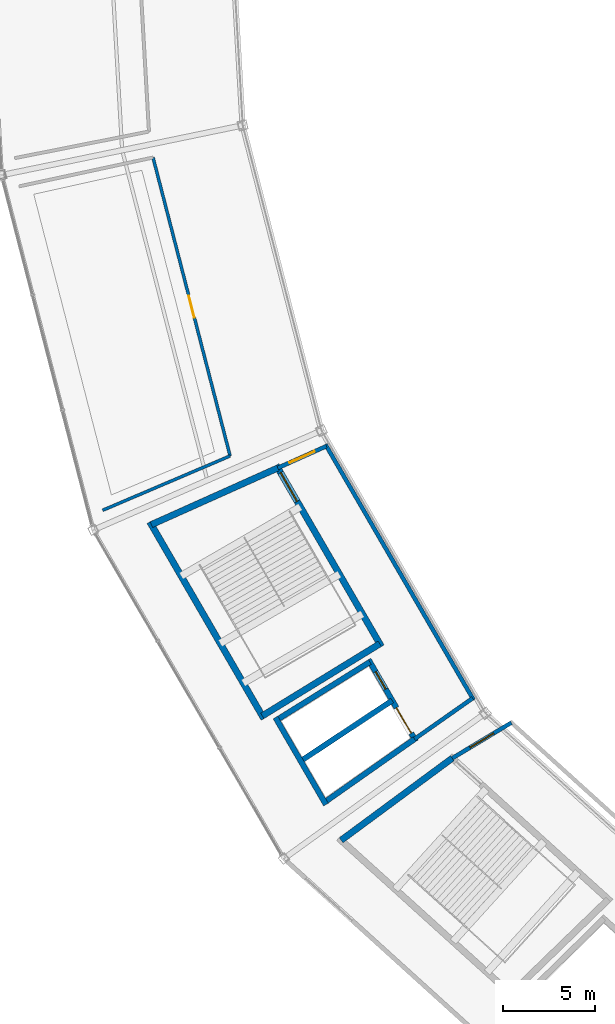
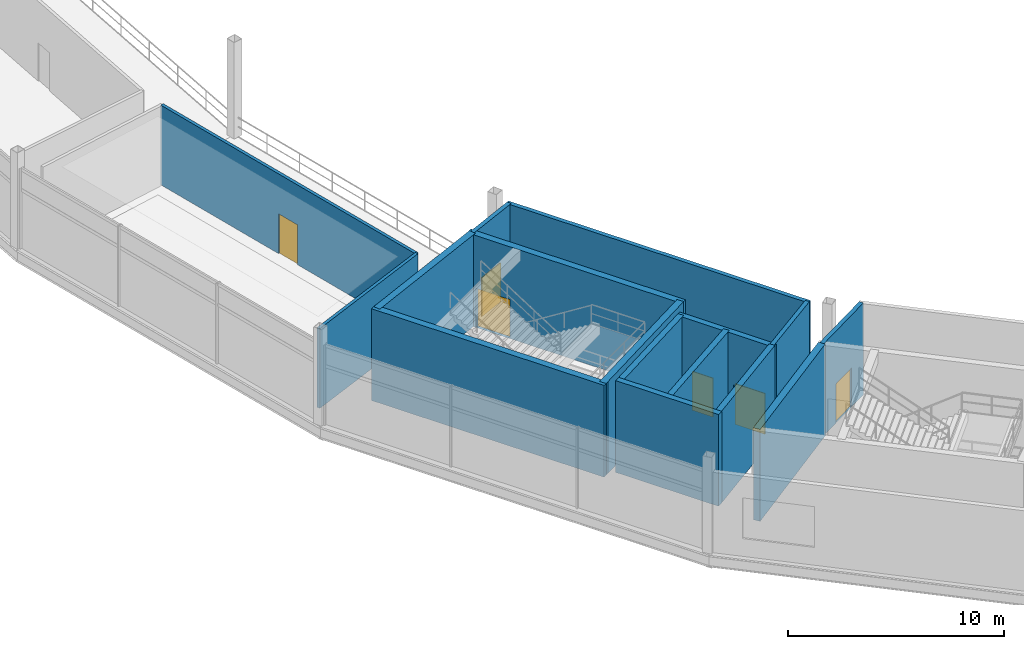
# One storey, part 72 of 103: 16 walls, 6 doors, 6 openings.
"""IFC4 building model written with IfcOpenShell, lengths in metres."""

import ifcopenshell
import ifcopenshell.guid

model = None  # the IFC model being written
_history = None  # IfcOwnerHistory: only IFC2X3 demands one
_inside = {}  # id of a spatial element -> (the spatial element, [elements in it])
_under = {}  # id of a project, library or spatial element -> (it, [spatial elements below it])
_declared = {}  # id of a project -> (the project, [libraries it declares])
_typed = {}  # id of a type object -> (the type object, [elements of that type])
_made_of = {}  # id of a material, layer set ... -> (it, [elements and type objects made of it])


def new_model(schema):
    """Start an empty IFC model of exactly this schema.

    Asked for "IFC4X3", IfcOpenShell would pick the latest addendum, in which some entities
    have other attributes; the version numbers below select the first issue.
    IFC2X3 requires an IfcOwnerHistory on every rooted entity: one is made here for all.
    """
    global model, _history
    if schema == "IFC4X3":
        model = ifcopenshell.file(schema_version=(4, 3, 0, 0))
    else:
        model = ifcopenshell.file(schema=schema)
    _inside.clear()
    _under.clear()
    _declared.clear()
    _typed.clear()
    _made_of.clear()
    _history = None
    if model.schema == "IFC2X3":
        org = make("IfcOrganization", Name="unknown")
        user = make(
            "IfcPersonAndOrganization",
            ThePerson=make("IfcPerson", FamilyName="unknown"),
            TheOrganization=org,
        )
        app = make(
            "IfcApplication",
            ApplicationDeveloper=org,
            Version="unknown",
            ApplicationFullName="unknown",
            ApplicationIdentifier="unknown",
        )
        _history = make(
            "IfcOwnerHistory",
            OwningUser=user,
            OwningApplication=app,
            ChangeAction="ADDED",
            CreationDate=0,
        )
    return model


def make(cls, **values):
    """One entity of the class cls with the attributes given. An attribute that is None is left unset."""
    return model.create_entity(
        cls, **{name: value for name, value in values.items() if value is not None}
    )


def rooted(cls, **values):
    """An entity with a GlobalId (a new one), such as an element, a storey or a relation."""
    return make(cls, GlobalId=ifcopenshell.guid.new(), OwnerHistory=_history, **values)


def si_unit(unit_type, name, prefix=None):
    """IfcSIUnit, for example si_unit("LENGTHUNIT", "METRE", prefix="MILLI")."""
    return make("IfcSIUnit", UnitType=unit_type, Prefix=prefix, Name=name)


def assignment(units):
    """IfcUnitAssignment: the units of a project."""
    return None if units is None else make("IfcUnitAssignment", Units=units)


def point(xyz):
    """IfcCartesianPoint."""
    return None if xyz is None else make("IfcCartesianPoint", Coordinates=xyz)


def direction(xyz):
    """IfcDirection."""
    return None if xyz is None else make("IfcDirection", DirectionRatios=xyz)


def frame(location, z_axis=None, x_axis=None):
    """IfcAxis2Placement3D, a coordinate frame: its origin and axes. An axis left out is left unset."""
    return make(
        "IfcAxis2Placement3D",
        Location=point(location),
        Axis=direction(z_axis),
        RefDirection=direction(x_axis),
    )


def frame_2d(location, x_axis=None):
    """IfcAxis2Placement2D, a coordinate frame in the plane: its origin and x axis."""
    return make(
        "IfcAxis2Placement2D", Location=point(location), RefDirection=direction(x_axis)
    )


def origin():
    """The frame at (0, 0, 0) with its axes left unset."""
    return frame((0.0, 0.0, 0.0))


def place(relative_to, where):
    """IfcLocalPlacement: puts the frame where relative to a parent placement (None: the world)."""
    return make(
        "IfcLocalPlacement", PlacementRelTo=relative_to, RelativePlacement=where
    )


def context(
    kind, dimensions, precision=None, world=None, true_north=None, identifier=None
):
    """IfcGeometricRepresentationContext, for example the 3D "Model" context."""
    return make(
        "IfcGeometricRepresentationContext",
        ContextIdentifier=identifier,
        ContextType=kind,
        CoordinateSpaceDimension=dimensions,
        Precision=precision,
        WorldCoordinateSystem=world,
        TrueNorth=true_north,
    )


def subcontext(parent, identifier, kind, view, scale=None):
    """IfcGeometricRepresentationSubContext, for example "Body" below "Model"."""
    return make(
        "IfcGeometricRepresentationSubContext",
        ContextIdentifier=identifier,
        ContextType=kind,
        ParentContext=parent,
        TargetScale=scale,
        TargetView=view,
    )


def project(units=None, contexts=None):
    """IfcProject with its units and contexts."""
    return rooted(
        "IfcProject",
        Name="project",
        RepresentationContexts=contexts,
        UnitsInContext=assignment(units),
    )


def spatial(cls, under=None, at=None, **own):
    """A site, building, storey or space (cls), placed at a placement, below another one or the project."""
    s = rooted(cls, ObjectPlacement=at, **own)
    if under is not None:
        _under.setdefault(under.id(), (under, []))[1].append(s)
    return s


def profile(cls, at=None, kind="AREA", **sizes):
    """A parametric profile (cls). Its sizes go by their IFC names, for example OverallWidth=200.0."""
    return make(cls, ProfileType=kind, Position=at, **sizes)


def rectangle(**sizes):
    """IfcRectangleProfileDef."""
    return profile("IfcRectangleProfileDef", **sizes)


def extrude(swept, where, along, depth):
    """IfcExtrudedAreaSolid: the profile swept, set in the frame where, extruded along a direction by depth."""
    return make(
        "IfcExtrudedAreaSolid",
        SweptArea=swept,
        Position=where,
        ExtrudedDirection=direction(along),
        Depth=depth,
    )


def shape(context_of_items, identifier, shape_type, items):
    """IfcShapeRepresentation: the items that make up one representation, for example the "Body"."""
    return make(
        "IfcShapeRepresentation",
        ContextOfItems=context_of_items,
        RepresentationIdentifier=identifier,
        RepresentationType=shape_type,
        Items=items,
    )


def material(Name=None, Category=None):
    """IfcMaterial."""
    return make("IfcMaterial", Name=Name, Category=Category)


def layer(
    of_material, thickness, ventilated=None, Name=None, Category=None, Priority=None
):
    """IfcMaterialLayer: one layer of a wall or slab, of a material (None: an air gap)."""
    return make(
        "IfcMaterialLayer",
        Material=of_material,
        LayerThickness=thickness,
        IsVentilated=ventilated,
        Name=Name,
        Category=Category,
        Priority=Priority,
    )


def layer_set(layers, Name=None):
    """IfcMaterialLayerSet."""
    return make("IfcMaterialLayerSet", MaterialLayers=layers, LayerSetName=Name)


def made_of(thing, what):
    """Note that an element or type object is made of a material, layer set ...; save() writes the relation."""
    if what is not None:
        _made_of.setdefault(what.id(), (what, []))[1].append(thing)
    return thing


def type_object(cls, material=None, **own):
    """A type object (cls), such as IfcWallType, which elements share."""
    return made_of(rooted(cls, **own), material)


def element(
    cls,
    number,
    at=None,
    inside=None,
    cuts=None,
    type_object=None,
    material=None,
    context=None,
    identifier="Body",
    shape_type=None,
    held_by="IfcProductDefinitionShape",
    body=None,
    shapes=None,
    **own,
):
    """One element of the class cls, such as IfcWall. Its Tag is "e" and its number.

    at: its placement. inside: the storey or other place that contains it. cuts: it is an
    opening in that element (IfcRelVoidsElement). A single representation is given by context,
    identifier, shape_type and body (its items); several are given by shapes. held_by: the class
    of the entity that holds the representations. save() writes the other relations.
    """
    e = rooted(cls, Tag="e%d" % number, ObjectPlacement=at, **own)
    if body is not None:
        shapes = [shape(context, identifier, shape_type, body)]
    if shapes is not None:
        e.Representation = make(held_by, Representations=shapes)
    if inside is not None:
        _inside.setdefault(inside.id(), (inside, []))[1].append(e)
    if cuts is not None:
        rooted(
            "IfcRelVoidsElement", RelatingBuildingElement=cuts, RelatedOpeningElement=e
        )
    if type_object is not None:
        _typed.setdefault(type_object.id(), (type_object, []))[1].append(e)
    return made_of(e, material)


def fill(opening, filler):
    """IfcRelFillsElement: the door or window that sits in an opening."""
    return rooted(
        "IfcRelFillsElement",
        RelatingOpeningElement=opening,
        RelatedBuildingElement=filler,
    )


def aggregate(whole, parts):
    """IfcRelAggregates: a whole, such as a stair, and the parts it consists of."""
    return rooted("IfcRelAggregates", RelatingObject=whole, RelatedObjects=parts)


def save(model, path):
    """Write the relations noted so far, then the file.

    IfcRelAggregates (storeys below a building ...), IfcRelContainedInSpatialStructure (elements
    in a storey), IfcRelDefinesByType, IfcRelAssociatesMaterial and IfcRelDeclares: one each for
    every whole, place, type object, material and project.
    """
    for whole, parts in _under.values():
        aggregate(whole, parts)
    for where, things in _inside.values():
        rooted(
            "IfcRelContainedInSpatialStructure",
            RelatedElements=things,
            RelatingStructure=where,
        )
    for kind, things in _typed.values():
        rooted("IfcRelDefinesByType", RelatedObjects=things, RelatingType=kind)
    for what, things in _made_of.values():
        rooted("IfcRelAssociatesMaterial", RelatedObjects=things, RelatingMaterial=what)
    for by, libraries in _declared.values():
        rooted("IfcRelDeclares", RelatingContext=by, RelatedDefinitions=libraries)
    model.write(path)


model = new_model("IFC4")

# Units and contexts
model_context = context("Model", 3, precision=1e-05, world=origin(), true_north=direction((0.0, 1.0)))
body_context = subcontext(model_context, "Body", "Model", "MODEL_VIEW")
ifc_project = project(units=[si_unit("LENGTHUNIT", "METRE"), si_unit("AREAUNIT", "SQUARE_METRE"), si_unit("VOLUMEUNIT", "CUBIC_METRE"), si_unit("PLANEANGLEUNIT", "RADIAN"), si_unit("MASSUNIT", "GRAM", prefix="KILO")], contexts=[model_context])

# Site, building, storey
site_placement = place(None, origin())
site = spatial("IfcSite", under=ifc_project, at=site_placement, CompositionType="ELEMENT")
building_placement = place(site_placement, origin())
building = spatial("IfcBuilding", under=site, at=building_placement, Name="Kazemori Nagisa Stadium", CompositionType="ELEMENT")
storey_placement = place(building_placement, frame((0.0, 0.0, 25.840087890625)))
storey = spatial("IfcBuildingStorey", under=building, at=storey_placement, Name="L05", CompositionType="ELEMENT", Elevation=25.840087890625)

# Wall, opening, door
ifc_material_1 = material(Name="Concrete C40/50 (Fc42)", Category="concrete")
ifc_layer_1 = layer(ifc_material_1, 0.35009765625, Name="Concrete C40/50 (Fc42)", Category="concrete")
ifc_layer_set_1 = layer_set([ifc_layer_1], Name="Concrete C40/50 (Fc42)")
wall_type_1 = type_object("IfcWallType", Name="Wall_W-CORE-350", PredefinedType="SHEAR", material=ifc_layer_set_1)
wall_1_placement = place(storey_placement, frame((44.090087890625, 66.78759765625, 0.0), z_axis=(0.0, 0.0, 1.0), x_axis=(0.501628624814, -0.865083072755, 0.0)))
wall_1 = element("IfcWall", 1, at=wall_1_placement, inside=storey, type_object=wall_type_1, Name="Core stair front shear wall ST09 L05", PredefinedType="SHEAR", context=body_context, shape_type="SweptSolid", body=[
    extrude(rectangle(XDim=11.435302734375, YDim=0.35009765625, at=frame_2d((5.7177734375, 0.0))), origin(), (0.0, 0.0, 1.0), 5.179931640625),
])
opening_1_placement = place(wall_1_placement, frame((0.47509765625, 0.0, 0.0)))
opening_1 = element("IfcOpeningElement", 2, at=opening_1_placement, cuts=wall_1, Name="Opening D-ST-1800", PredefinedType="OPENING", context=body_context, shape_type="SweptSolid", body=[
    extrude(rectangle(XDim=1.800048828125, YDim=2.199951171875, at=frame_2d((0.89990234375, 1.10009765625))), frame((0.0, 0.18505859375, 0.0), z_axis=(0.0, -1.0, 0.0), x_axis=(1.0, 0.0, 0.0)), (0.0, 0.0, 1.0), 0.3701171875),
])
ifc_material_2 = material(Name="Galvanised steel sheet", Category="steel")
door_type_1 = type_object("IfcDoorType", Name="Door_D-ST-1800", OperationType="NOTDEFINED", PredefinedType="DOOR", material=ifc_material_2)
door_1_placement = place(opening_1_placement, frame((1.800048828125, 0.0, 0.0), z_axis=(0.0, 0.0, 1.0), x_axis=(-1.0, 0.0, 0.0)))
door_1 = element("IfcDoor", 3, at=door_1_placement, inside=storey, type_object=door_type_1, Name="Exit stair fire door ST09-L05", OperationType="SINGLE_SWING_RIGHT", OverallHeight=2.199951171875, OverallWidth=1.800048828125, PredefinedType="DOOR", context=body_context, shape_type="SweptSolid", body=[
    extrude(rectangle(XDim=1.800048828125, YDim=2.199951171875, at=frame_2d((0.89990234375, 1.10009765625))), frame((0.0, 0.02490234375, 0.0), z_axis=(0.0, -1.0, 0.0), x_axis=(1.0, 0.0, 0.0)), (0.0, 0.0, 1.0), 0.050048828125),
])
fill(opening_1, door_1)

# Walls
wall_2_placement = place(storey_placement, frame((37.19775390625, 63.6953125, 0.0), z_axis=(0.0, 0.0, 1.0), x_axis=(0.501601740165, -0.865098661577, 0.0)))
element("IfcWall", 4, at=wall_2_placement, inside=storey, type_object=wall_type_1, Name="Core stair rear shear wall ST09 L05", PredefinedType="SHEAR", context=body_context, shape_type="SweptSolid", body=[
    extrude(rectangle(XDim=12.404541015625, YDim=0.35009765625, at=frame_2d((6.2021484375, 0.0))), origin(), (0.0, 0.0, 1.0), 5.179931640625),
])
wall_3_placement = place(storey_placement, frame((44.177978515625, 66.63623046875, 0.0), z_axis=(0.0, 0.0, 1.0), x_axis=(-0.912385324524, -0.409332407212, 0.0)))
element("IfcWall", 5, at=wall_3_placement, inside=storey, type_object=wall_type_1, Name="Core stair left shear wall ST09 L05", PredefinedType="SHEAR", context=body_context, shape_type="SweptSolid", body=[
    extrude(rectangle(XDim=7.554443359375, YDim=0.35009765625, at=frame_2d((3.77734375, 0.0))), origin(), (0.0, 0.0, 1.0), 5.179931640625),
])
wall_4_placement = place(storey_placement, frame((49.738525390625, 57.04638671875, 0.0), z_axis=(0.0, 0.0, 1.0), x_axis=(-0.852334575619, -0.522996913188, 0.0)))
element("IfcWall", 6, at=wall_4_placement, inside=storey, type_object=wall_type_1, Name="Core stair right shear wall ST09 L05", PredefinedType="SHEAR", context=body_context, shape_type="SweptSolid", body=[
    extrude(rectangle(XDim=7.51611328125, YDim=0.35009765625, at=frame_2d((3.758056640625, 0.0))), origin(), (0.0, 0.0, 1.0), 5.179931640625),
])
wall_5_placement = place(storey_placement, frame((53.691162109375, 50.810546875, 0.0), z_axis=(0.0, 0.0, 1.0), x_axis=(-0.804395625347, -0.594093997548, 0.0)))
element("IfcWall", 7, at=wall_5_placement, inside=storey, type_object=wall_type_1, Name="Core stair left shear wall ST03 L05", PredefinedType="SHEAR", context=body_context, shape_type="SweptSolid", body=[
    extrude(rectangle(XDim=7.5341796875, YDim=0.35009765625, at=frame_2d((3.76708984375, 0.0))), origin(), (0.0, 0.0, 1.0), 5.179931640625),
])
ifc_material_3 = material(Name="Concrete C36/45 (Fc36)", Category="concrete")
ifc_layer_2 = layer(ifc_material_3, 0.219970703125, Name="Concrete C36/45 (Fc36)", Category="concrete")
ifc_layer_set_2 = layer_set([ifc_layer_2], Name="Concrete C36/45 (Fc36)")
wall_type_2 = type_object("IfcWallType", Name="Wall_W-LOBBY-220", PredefinedType="SOLIDWALL", material=ifc_layer_set_2)
wall_6_placement = place(storey_placement, frame((46.773681640625, 67.9208984375, 0.0), z_axis=(0.0, 0.0, 1.0), x_axis=(0.501612626242, -0.865092349518, 0.0)))
element("IfcWall", 8, at=wall_6_placement, inside=storey, type_object=wall_type_2, Name="Core lobby fire wall ST09 L05", PredefinedType="SOLIDWALL", context=body_context, shape_type="SweptSolid", body=[
    extrude(rectangle(XDim=16.110107421875, YDim=0.219970703125, at=frame_2d((8.05517578125, 0.0))), origin(), (0.0, 0.0, 1.0), 5.179931640625),
])

# Wall, opening, door
wall_7_placement = place(storey_placement, frame((46.8291015625, 67.82568359375, 0.0), z_axis=(0.0, 0.0, 1.0), x_axis=(-0.912378422162, -0.409347791949, 0.0)))
wall_7 = element("IfcWall", 9, at=wall_7_placement, inside=storey, type_object=wall_type_2, Name="Core lobby left wall ST09 L05", PredefinedType="SOLIDWALL", context=body_context, shape_type="SweptSolid", body=[
    extrude(rectangle(XDim=2.90576171875, YDim=0.219970703125, at=frame_2d((1.452880859375, 0.0))), origin(), (0.0, 0.0, 1.0), 5.179931640625),
])
opening_2_placement = place(wall_7_placement, frame((0.702880859375, 0.0, 0.0)))
opening_2 = element("IfcOpeningElement", 10, at=opening_2_placement, cuts=wall_7, Name="Opening D-FFL-1500", PredefinedType="OPENING", context=body_context, shape_type="SweptSolid", body=[
    extrude(rectangle(XDim=1.5, YDim=2.199951171875, at=frame_2d((0.75, 1.10009765625))), frame((0.0, 0.119873046875, 0.0), z_axis=(0.0, -1.0, 0.0), x_axis=(1.0, 0.0, 0.0)), (0.0, 0.0, 1.0), 0.239990234375),
])
door_type_2 = type_object("IfcDoorType", Name="Door_D-FFL-1500", OperationType="NOTDEFINED", PredefinedType="DOOR", material=ifc_material_2)
door_2_placement = place(opening_2_placement, frame((1.5, 0.0, 0.0), z_axis=(0.0, 0.0, 1.0), x_axis=(-1.0, 0.0, 0.0)))
door_2 = element("IfcDoor", 11, at=door_2_placement, inside=storey, type_object=door_type_2, Name="Protected lobby fire door ST09-L05", OperationType="DOUBLE_DOOR_SINGLE_SWING", OverallHeight=2.199951171875, OverallWidth=1.5, PredefinedType="DOOR", context=body_context, shape_type="SweptSolid", body=[
    extrude(rectangle(XDim=1.5, YDim=2.199951171875, at=frame_2d((0.75, 1.10009765625))), frame((0.0, 0.02490234375, 0.0), z_axis=(0.0, -1.0, 0.0), x_axis=(1.0, 0.0, 0.0)), (0.0, 0.0, 1.0), 0.050048828125),
])
fill(opening_2, door_2)

# Wall
wall_8_placement = place(storey_placement, frame((54.799560546875, 54.0791015625, 0.0), z_axis=(0.0, 0.0, 1.0), x_axis=(-0.818225400643, -0.574897550649, 0.0)))
element("IfcWall", 12, at=wall_8_placement, inside=storey, type_object=wall_type_2, Name="Core lobby right wall ST09 L05", PredefinedType="SOLIDWALL", context=body_context, shape_type="SweptSolid", body=[
    extrude(rectangle(XDim=3.867919921875, YDim=0.219970703125, at=frame_2d((1.93408203125, 0.0))), origin(), (0.0, 0.0, 1.0), 5.179931640625),
])

# Wall, opening, door
wall_9_placement = place(storey_placement, frame((56.915283203125, 52.74560546875, 0.0), z_axis=(0.0, 0.0, 1.0), x_axis=(-0.857424171966, -0.514610327654, 0.0)))
wall_9 = element("IfcWall", 13, at=wall_9_placement, inside=storey, type_object=wall_type_2, Name="Core lobby left wall ST03 L05", PredefinedType="SOLIDWALL", context=body_context, shape_type="SweptSolid", body=[
    extrude(rectangle(XDim=3.76025390625, YDim=0.219970703125, at=frame_2d((1.880126953125, 0.0))), origin(), (0.0, 0.0, 1.0), 5.179931640625),
])
opening_3_placement = place(wall_9_placement, frame((1.1298828125, 0.0, 0.0)))
opening_3 = element("IfcOpeningElement", 14, at=opening_3_placement, cuts=wall_9, Name="Opening D-FFL-1500", PredefinedType="OPENING", context=body_context, shape_type="SweptSolid", body=[
    extrude(rectangle(XDim=1.5, YDim=2.199951171875, at=frame_2d((0.75, 1.10009765625))), frame((0.0, 0.119873046875, 0.0), z_axis=(0.0, -1.0, 0.0), x_axis=(1.0, 0.0, 0.0)), (0.0, 0.0, 1.0), 0.239990234375),
])
door_3_placement = place(opening_3_placement, frame((1.5, 0.0, 0.0), z_axis=(0.0, 0.0, 1.0), x_axis=(-1.0, 0.0, 0.0)))
door_3 = element("IfcDoor", 15, at=door_3_placement, inside=storey, type_object=door_type_2, Name="Protected lobby fire door ST03-L05", OperationType="DOUBLE_DOOR_SINGLE_SWING", OverallHeight=2.199951171875, OverallWidth=1.5, PredefinedType="DOOR", context=body_context, shape_type="SweptSolid", body=[
    extrude(rectangle(XDim=1.5, YDim=2.199951171875, at=frame_2d((0.75, 1.10009765625))), frame((0.0, 0.02490234375, 0.0), z_axis=(0.0, -1.0, 0.0), x_axis=(1.0, 0.0, 0.0)), (0.0, 0.0, 1.0), 0.050048828125),
])
fill(opening_3, door_3)

ifc_material_4 = material(Name="Gypsum plasterboard", Category="gypsum")
ifc_layer_3 = layer(ifc_material_4, 0.1650390625, Name="Gypsum plasterboard", Category="gypsum")
ifc_layer_set_3 = layer_set([ifc_layer_3], Name="Gypsum plasterboard")
wall_type_3 = type_object("IfcWallType", Name="Wall_W-PART-165", PredefinedType="PARTITIONING", material=ifc_layer_set_3)
wall_10_placement = place(storey_placement, frame((37.37548828125, 83.56298828125, 0.0), z_axis=(0.0, 0.0, 1.0), x_axis=(0.249966328054, -0.968254529986, 0.0)))
wall_10 = element("IfcWall", 16, at=wall_10_placement, inside=storey, type_object=wall_type_3, Name="Room corridor partition L05-B16", PredefinedType="PARTITIONING", context=body_context, shape_type="SweptSolid", body=[
    extrude(rectangle(XDim=16.805908203125, YDim=0.1650390625, at=frame_2d((8.40283203125, 0.0))), origin(), (0.0, 0.0, 1.0), 4.5),
])
opening_4_placement = place(wall_10_placement, frame((7.778076171875, 0.0, 0.0)))
opening_4 = element("IfcOpeningElement", 17, at=opening_4_placement, cuts=wall_10, Name="Opening D-BOX-1250", PredefinedType="OPENING", context=body_context, shape_type="SweptSolid", body=[
    extrude(rectangle(XDim=1.25, YDim=2.25, at=frame_2d((0.625, 1.125))), frame((0.0, 0.092529296875, 0.0), z_axis=(0.0, -1.0, 0.0), x_axis=(1.0, 0.0, 0.0)), (0.0, 0.0, 1.0), 0.18505859375),
])
ifc_material_5 = material(Name="Anodised aluminium 6063-T5", Category="aluminium")
door_type_3 = type_object("IfcDoorType", Name="Door_D-BOX-1250", OperationType="NOTDEFINED", PredefinedType="DOOR", material=ifc_material_5)
door_4_placement = place(opening_4_placement, origin())
door_4 = element("IfcDoor", 18, at=door_4_placement, inside=storey, type_object=door_type_3, Name="Room entrance door D-BOX-1250 L05-B16", OperationType="SINGLE_SWING_RIGHT", OverallHeight=2.25, OverallWidth=1.25, PredefinedType="DOOR", context=body_context, shape_type="SweptSolid", body=[
    extrude(rectangle(XDim=1.25, YDim=2.25, at=frame_2d((0.625, 1.125))), frame((0.0, 0.02490234375, 0.0), z_axis=(0.0, -1.0, 0.0), x_axis=(1.0, 0.0, 0.0)), (0.0, 0.0, 1.0), 0.050048828125),
])
fill(opening_4, door_4)

# Wall
wall_11_placement = place(storey_placement, frame((41.576416015625, 67.29052734375, 0.0), z_axis=(0.0, 0.0, 1.0), x_axis=(-0.919898990597, -0.39215538642, 0.0)))
element("IfcWall", 19, at=wall_11_placement, inside=storey, type_object=wall_type_3, Name="Room radial partition L05-B16-R", PredefinedType="PARTITIONING", context=body_context, shape_type="SweptSolid", body=[
    extrude(rectangle(XDim=7.553466796875, YDim=0.1650390625, at=frame_2d((3.77685546875, 0.0))), origin(), (0.0, 0.0, 1.0), 4.5),
])

# Wall, openings, doors
ifc_layer_4 = layer(ifc_material_1, 0.300048828125, Name="Concrete C40/50 (Fc42)", Category="concrete")
ifc_layer_set_4 = layer_set([ifc_layer_4], Name="Concrete C40/50 (Fc42)")
wall_type_4 = type_object("IfcWallType", Name="Wall_W-SHAFT-300", PredefinedType="SHEAR", material=ifc_layer_set_4)
wall_12_placement = place(storey_placement, frame((49.123046875, 56.1875, 0.0), z_axis=(0.0, 0.0, 1.0), x_axis=(0.501629534056, -0.86508254552, 0.0)))
wall_12 = element("IfcWall", 20, at=wall_12_placement, inside=storey, type_object=wall_type_4, Name="Lift shaft front wall LP7 L05", PredefinedType="SHEAR", context=body_context, shape_type="SweptSolid", body=[
    extrude(rectangle(XDim=5.157470703125, YDim=0.300048828125, at=frame_2d((2.57861328125, 0.0))), origin(), (0.0, 0.0, 1.0), 5.179931640625),
])
opening_5_placement = place(wall_12_placement, frame((0.76611328125, 0.0, 0.0)))
opening_5 = element("IfcOpeningElement", 21, at=opening_5_placement, cuts=wall_12, Name="Opening LD-PAX", PredefinedType="OPENING", context=body_context, shape_type="SweptSolid", body=[
    extrude(rectangle(XDim=1.10009765625, YDim=2.199951171875, at=frame_2d((0.550048828125, 1.10009765625))), frame((0.0, 0.159912109375, 0.0), z_axis=(0.0, -1.0, 0.0), x_axis=(1.0, 0.0, 0.0)), (0.0, 0.0, 1.0), 0.320068359375),
])
opening_6_placement = place(wall_12_placement, frame((3.0419921875, 0.0, 0.0)))
opening_6 = element("IfcOpeningElement", 22, at=opening_6_placement, cuts=wall_12, Name="Opening LD-GDS", PredefinedType="OPENING", context=body_context, shape_type="SweptSolid", body=[
    extrude(rectangle(XDim=1.60009765625, YDim=2.300048828125, at=frame_2d((0.800048828125, 1.14990234375))), frame((0.0, 0.159912109375, 0.0), z_axis=(0.0, -1.0, 0.0), x_axis=(1.0, 0.0, 0.0)), (0.0, 0.0, 1.0), 0.320068359375),
])
ifc_material_6 = material(Name="Stainless steel SUS304", Category="steel")
door_type_4 = type_object("IfcDoorType", Name="Door_LD-GDS", OperationType="SLIDING_TO_LEFT", PredefinedType="DOOR", material=ifc_material_6)
door_5_placement = place(opening_6_placement, origin())
door_5 = element("IfcDoor", 23, at=door_5_placement, inside=storey, type_object=door_type_4, Name="Lift landing door LG2-L05", OperationType="SLIDING_TO_LEFT", OverallHeight=2.300048828125, OverallWidth=1.60009765625, PredefinedType="DOOR", context=body_context, shape_type="SweptSolid", body=[
    extrude(rectangle(XDim=1.60009765625, YDim=2.300048828125, at=frame_2d((0.800048828125, 1.14990234375))), frame((0.0, 0.02490234375, 0.0), z_axis=(0.0, -1.0, 0.0), x_axis=(1.0, 0.0, 0.0)), (0.0, 0.0, 1.0), 0.050048828125),
])
fill(opening_6, door_5)
door_type_5 = type_object("IfcDoorType", Name="Door_LD-PAX", OperationType="SLIDING_TO_RIGHT", PredefinedType="DOOR", material=ifc_material_6)
door_6_placement = place(opening_5_placement, origin())
door_6 = element("IfcDoor", 24, at=door_6_placement, inside=storey, type_object=door_type_5, Name="Lift landing door LP7-L05", OperationType="SLIDING_TO_RIGHT", OverallHeight=2.199951171875, OverallWidth=1.10009765625, PredefinedType="DOOR", context=body_context, shape_type="SweptSolid", body=[
    extrude(rectangle(XDim=1.10009765625, YDim=2.199951171875, at=frame_2d((0.550048828125, 1.10009765625))), frame((0.0, 0.02490234375, 0.0), z_axis=(0.0, -1.0, 0.0), x_axis=(1.0, 0.0, 0.0)), (0.0, 0.0, 1.0), 0.050048828125),
])
fill(opening_5, door_6)

# Walls
wall_13_placement = place(storey_placement, frame((44.05029296875, 53.029541015625, 0.0), z_axis=(0.0, 0.0, 1.0), x_axis=(0.501596987756, -0.865101417103, 0.0)))
element("IfcWall", 25, at=wall_13_placement, inside=storey, type_object=wall_type_4, Name="Lift shaft B wall LP7 L05", PredefinedType="SHEAR", context=body_context, shape_type="SweptSolid", body=[
    extrude(rectangle(XDim=5.4912109375, YDim=0.300048828125, at=frame_2d((2.74560546875, 0.0))), origin(), (0.0, 0.0, 1.0), 5.179931640625),
])
wall_14_placement = place(storey_placement, frame((49.1982421875, 56.0576171875, 0.0), z_axis=(0.0, 0.0, 1.0), x_axis=(-0.848938067893, -0.528492343257, 0.0)))
element("IfcWall", 26, at=wall_14_placement, inside=storey, type_object=wall_type_4, Name="Lift shaft L wall LP7 L05", PredefinedType="SHEAR", context=body_context, shape_type="SweptSolid", body=[
    extrude(rectangle(XDim=5.975341796875, YDim=0.300048828125, at=frame_2d((2.98779296875, 0.0))), origin(), (0.0, 0.0, 1.0), 5.179931640625),
])
wall_15_placement = place(storey_placement, frame((51.634765625, 51.85546875, 0.0), z_axis=(0.0, 0.0, 1.0), x_axis=(-0.818205158105, -0.574926359851, 0.0)))
element("IfcWall", 27, at=wall_15_placement, inside=storey, type_object=wall_type_4, Name="Lift shaft R wall LP7 L05", PredefinedType="SHEAR", context=body_context, shape_type="SweptSolid", body=[
    extrude(rectangle(XDim=5.9951171875, YDim=0.300048828125, at=frame_2d((2.99755859375, 0.0))), origin(), (0.0, 0.0, 1.0), 5.179931640625),
])
wall_16_placement = place(storey_placement, frame((50.41650390625, 53.95654296875, 0.0), z_axis=(0.0, 0.0, 1.0), x_axis=(-0.833878900042, -0.551947443209, 0.0)))
element("IfcWall", 28, at=wall_16_placement, inside=storey, type_object=wall_type_4, Name="Lift shaft divider wall LP7-LG2 L05", PredefinedType="SHEAR", context=body_context, shape_type="SweptSolid", body=[
    extrude(rectangle(XDim=5.98291015625, YDim=0.300048828125, at=frame_2d((2.991455078125, 0.0))), origin(), (0.0, 0.0, 1.0), 5.179931640625),
])

save(model, "model.ifc")
